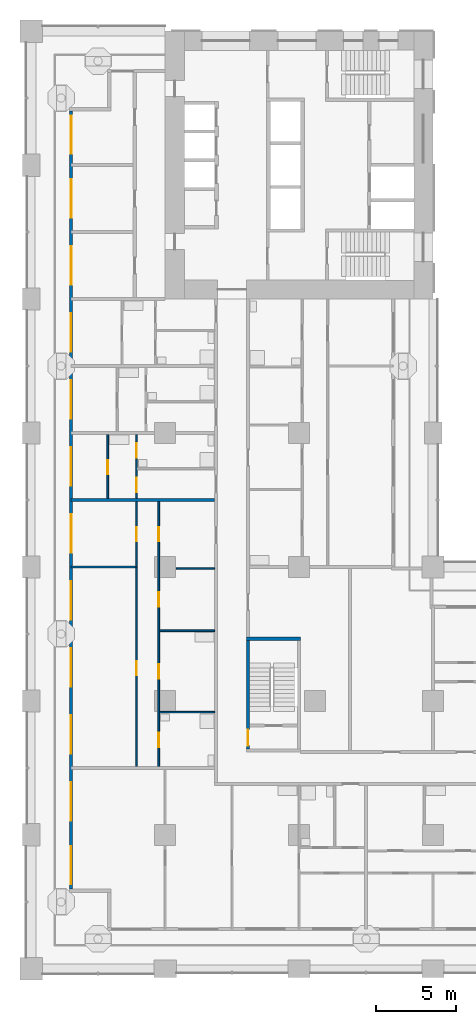
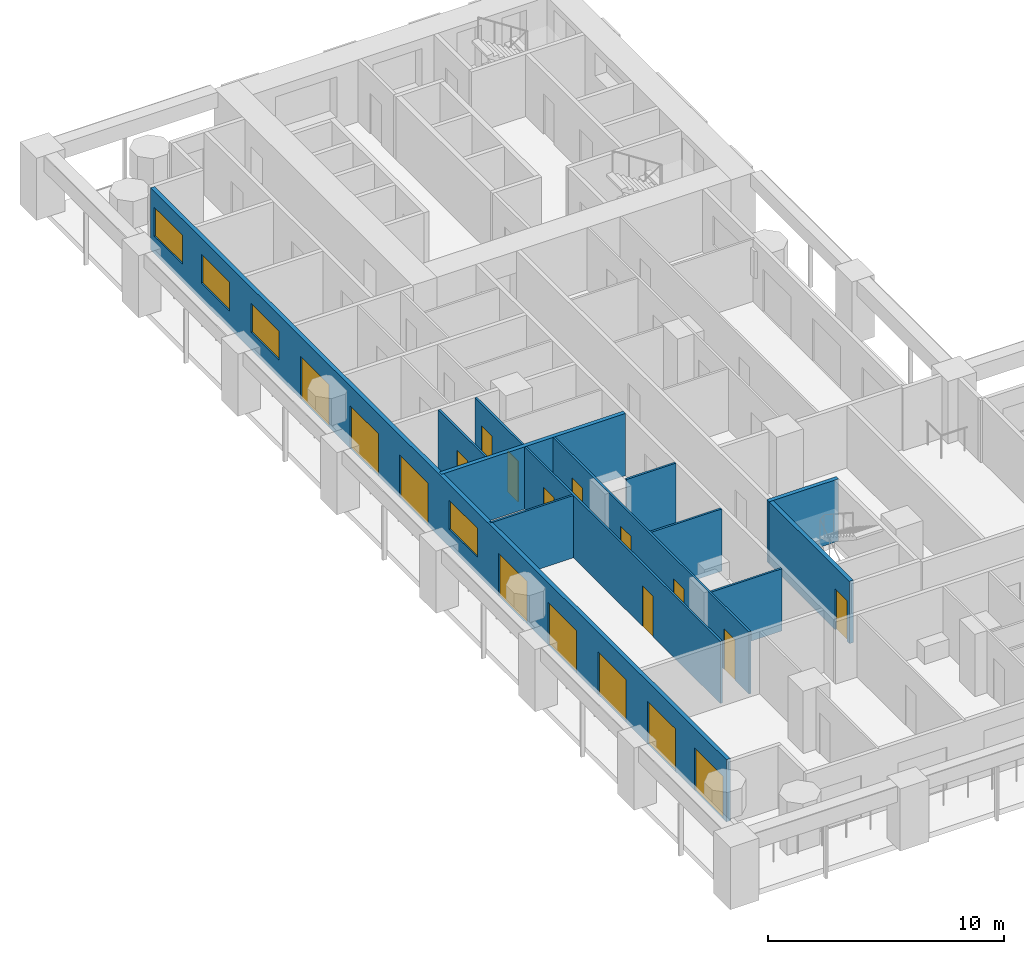
# One storey, part 3 of 19: 18 doors, 11 walls, 4 windows, 22 openings.
"""IFC4 building model written with IfcOpenShell, lengths in metres."""

from ifc_helpers import new_model, si_unit, direction, frame, frame_2d, origin, place, context, subcontext, project, spatial, rectangle, extrude, material, layer, layer_set, type_object, element, fill, save


model = new_model("IFC4")

# Units and contexts
model_context = context("Model", 3, precision=1e-05, world=origin(), true_north=direction((0.0, 1.0)))
body_context = subcontext(model_context, "Body", "Model", "MODEL_VIEW")
ifc_project = project(units=[si_unit("LENGTHUNIT", "METRE"), si_unit("AREAUNIT", "SQUARE_METRE"), si_unit("VOLUMEUNIT", "CUBIC_METRE"), si_unit("PLANEANGLEUNIT", "RADIAN"), si_unit("MASSUNIT", "GRAM", prefix="KILO")], contexts=[model_context])

# Site, building, storey
site_placement = place(None, origin())
site = spatial("IfcSite", under=ifc_project, at=site_placement, CompositionType="ELEMENT")
building_placement = place(site_placement, origin())
building = spatial("IfcBuilding", under=site, at=building_placement, Name="Vermilion Gate Residences", CompositionType="ELEMENT")
storey_placement = place(building_placement, frame((0.0, 0.0, 28.699951171875)))
storey = spatial("IfcBuildingStorey", under=building, at=storey_placement, Name="L05", CompositionType="ELEMENT", Elevation=28.699951171875)

# Wall, openings, doors, windows
ifc_material_1 = material(Name="Insulated steel stud wall with terracotta rainscreen", Category="masonry")
ifc_layer_1 = layer(ifc_material_1, 0.199951171875)
ifc_layer_set_1 = layer_set([ifc_layer_1], Name="EXTERNAL WALL 200 TERRACOTTA RAINSCREEN")
wall_type_1 = type_object("IfcWallType", Name="EXTERNAL WALL 200 TERRACOTTA RAINSCREEN", PredefinedType="SOLIDWALL", material=ifc_layer_set_1)
wall_1_placement = place(storey_placement, frame((2.5, 53.800048828125, 0.0), z_axis=(0.0, 0.0, 1.0), x_axis=(0.0, -1.0, 0.0)))
wall_1 = element("IfcWall", 1, at=wall_1_placement, inside=storey, type_object=wall_type_1, Name="External wall", PredefinedType="SOLIDWALL", context=body_context, shape_type="SweptSolid", body=[
    extrude(rectangle(XDim=48.800048828125, YDim=0.199951171875, at=frame_2d((24.39990234375, 0.0))), origin(), (0.0, 0.0, 1.0), 3.219970703125),
])
opening_1_placement = place(wall_1_placement, frame((46.10009765625, 0.0, 0.0)))
opening_1 = element("IfcOpeningElement", 2, at=opening_1_placement, cuts=wall_1, Name="Opening DE05002", PredefinedType="OPENING", context=body_context, shape_type="SweptSolid", body=[
    extrude(rectangle(XDim=2.39990234375, YDim=2.199951171875, at=frame_2d((1.199951171875, 1.10009765625))), frame((0.0, 0.10986328125, 0.0), z_axis=(0.0, -1.0, 0.0), x_axis=(1.0, 0.0, 0.0)), (0.0, 0.0, 1.0), 0.219970703125),
])
opening_2_placement = place(wall_1_placement, frame((42.10009765625, 0.0, 0.0)))
opening_2 = element("IfcOpeningElement", 3, at=opening_2_placement, cuts=wall_1, Name="Opening DE05003", PredefinedType="OPENING", context=body_context, shape_type="SweptSolid", body=[
    extrude(rectangle(XDim=2.39990234375, YDim=2.199951171875, at=frame_2d((1.199951171875, 1.10009765625))), frame((0.0, 0.10986328125, 0.0), z_axis=(0.0, -1.0, 0.0), x_axis=(1.0, 0.0, 0.0)), (0.0, 0.0, 1.0), 0.219970703125),
])
opening_3_placement = place(wall_1_placement, frame((37.89990234375, 0.0, 0.0)))
opening_3 = element("IfcOpeningElement", 4, at=opening_3_placement, cuts=wall_1, Name="Opening DE05004", PredefinedType="OPENING", context=body_context, shape_type="SweptSolid", body=[
    extrude(rectangle(XDim=2.39990234375, YDim=2.199951171875, at=frame_2d((1.199951171875, 1.10009765625))), frame((0.0, 0.10986328125, 0.0), z_axis=(0.0, -1.0, 0.0), x_axis=(1.0, 0.0, 0.0)), (0.0, 0.0, 1.0), 0.219970703125),
])
opening_4_placement = place(wall_1_placement, frame((33.699951171875, 0.0, 0.0)))
opening_4 = element("IfcOpeningElement", 5, at=opening_4_placement, cuts=wall_1, Name="Opening DE05005", PredefinedType="OPENING", context=body_context, shape_type="SweptSolid", body=[
    extrude(rectangle(XDim=2.39990234375, YDim=2.199951171875, at=frame_2d((1.199951171875, 1.10009765625))), frame((0.0, 0.10986328125, 0.0), z_axis=(0.0, -1.0, 0.0), x_axis=(1.0, 0.0, 0.0)), (0.0, 0.0, 1.0), 0.219970703125),
])
opening_5_placement = place(wall_1_placement, frame((29.5, 0.0, 0.0)))
opening_5 = element("IfcOpeningElement", 6, at=opening_5_placement, cuts=wall_1, Name="Opening DE05006", PredefinedType="OPENING", context=body_context, shape_type="SweptSolid", body=[
    extrude(rectangle(XDim=2.39990234375, YDim=2.199951171875, at=frame_2d((1.199951171875, 1.10009765625))), frame((0.0, 0.10986328125, 0.0), z_axis=(0.0, -1.0, 0.0), x_axis=(1.0, 0.0, 0.0)), (0.0, 0.0, 1.0), 0.219970703125),
])
opening_6_placement = place(wall_1_placement, frame((25.300048828125, 0.0, 0.89990234375)))
opening_6 = element("IfcOpeningElement", 7, at=opening_6_placement, cuts=wall_1, Name="Opening WE05007", PredefinedType="OPENING", context=body_context, shape_type="SweptSolid", body=[
    extrude(rectangle(XDim=2.39990234375, YDim=1.5, at=frame_2d((1.199951171875, 0.75))), frame((0.0, 0.10986328125, 0.0), z_axis=(0.0, -1.0, 0.0), x_axis=(1.0, 0.0, 0.0)), (0.0, 0.0, 1.0), 0.219970703125),
])
opening_7_placement = place(wall_1_placement, frame((21.10009765625, 0.0, 0.0)))
opening_7 = element("IfcOpeningElement", 8, at=opening_7_placement, cuts=wall_1, Name="Opening DE05008", PredefinedType="OPENING", context=body_context, shape_type="SweptSolid", body=[
    extrude(rectangle(XDim=2.39990234375, YDim=2.199951171875, at=frame_2d((1.199951171875, 1.10009765625))), frame((0.0, 0.10986328125, 0.0), z_axis=(0.0, -1.0, 0.0), x_axis=(1.0, 0.0, 0.0)), (0.0, 0.0, 1.0), 0.219970703125),
])
opening_8_placement = place(wall_1_placement, frame((16.89990234375, 0.0, 0.0)))
opening_8 = element("IfcOpeningElement", 9, at=opening_8_placement, cuts=wall_1, Name="Opening DE05009", PredefinedType="OPENING", context=body_context, shape_type="SweptSolid", body=[
    extrude(rectangle(XDim=2.39990234375, YDim=2.199951171875, at=frame_2d((1.199951171875, 1.10009765625))), frame((0.0, 0.10986328125, 0.0), z_axis=(0.0, -1.0, 0.0), x_axis=(1.0, 0.0, 0.0)), (0.0, 0.0, 1.0), 0.219970703125),
])
opening_9_placement = place(wall_1_placement, frame((12.699951171875, 0.0, 0.0)))
opening_9 = element("IfcOpeningElement", 10, at=opening_9_placement, cuts=wall_1, Name="Opening DE05010", PredefinedType="OPENING", context=body_context, shape_type="SweptSolid", body=[
    extrude(rectangle(XDim=2.39990234375, YDim=2.199951171875, at=frame_2d((1.199951171875, 1.10009765625))), frame((0.0, 0.10986328125, 0.0), z_axis=(0.0, -1.0, 0.0), x_axis=(1.0, 0.0, 0.0)), (0.0, 0.0, 1.0), 0.219970703125),
])
opening_10_placement = place(wall_1_placement, frame((8.5, 0.0, 0.89990234375)))
opening_10 = element("IfcOpeningElement", 11, at=opening_10_placement, cuts=wall_1, Name="Opening WE05011", PredefinedType="OPENING", context=body_context, shape_type="SweptSolid", body=[
    extrude(rectangle(XDim=2.39990234375, YDim=1.5, at=frame_2d((1.199951171875, 0.75))), frame((0.0, 0.10986328125, 0.0), z_axis=(0.0, -1.0, 0.0), x_axis=(1.0, 0.0, 0.0)), (0.0, 0.0, 1.0), 0.219970703125),
])
opening_11_placement = place(wall_1_placement, frame((4.300048828125, 0.0, 0.89990234375)))
opening_11 = element("IfcOpeningElement", 12, at=opening_11_placement, cuts=wall_1, Name="Opening WE05012", PredefinedType="OPENING", context=body_context, shape_type="SweptSolid", body=[
    extrude(rectangle(XDim=2.39990234375, YDim=1.5, at=frame_2d((1.199951171875, 0.75))), frame((0.0, 0.10986328125, 0.0), z_axis=(0.0, -1.0, 0.0), x_axis=(1.0, 0.0, 0.0)), (0.0, 0.0, 1.0), 0.219970703125),
])
opening_12_placement = place(wall_1_placement, frame((0.300048828125, 0.0, 0.89990234375)))
opening_12 = element("IfcOpeningElement", 13, at=opening_12_placement, cuts=wall_1, Name="Opening WE05013", PredefinedType="OPENING", context=body_context, shape_type="SweptSolid", body=[
    extrude(rectangle(XDim=2.39990234375, YDim=1.5, at=frame_2d((1.199951171875, 0.75))), frame((0.0, 0.10986328125, 0.0), z_axis=(0.0, -1.0, 0.0), x_axis=(1.0, 0.0, 0.0)), (0.0, 0.0, 1.0), 0.219970703125),
])
ifc_material_2 = material(Name="Aluminium and clear glass", Category="aluminium")
door_type_1 = type_object("IfcDoorType", Name="SLIDING GLAZED DOOR 2400 X 2200", OperationType="DOUBLE_DOOR_SLIDING", PredefinedType="DOOR", material=ifc_material_2)
door_1_placement = place(opening_1_placement, origin())
door_1 = element("IfcDoor", 14, at=door_1_placement, inside=storey, type_object=door_type_1, Name="Loggia sliding door", OperationType="DOUBLE_DOOR_SLIDING", OverallHeight=2.199951171875, OverallWidth=2.39990234375, PredefinedType="DOOR", context=body_context, shape_type="SweptSolid", body=[
    extrude(rectangle(XDim=2.39990234375, YDim=2.199951171875, at=frame_2d((1.199951171875, 1.10009765625))), frame((0.0, 0.02490234375, 0.0), z_axis=(0.0, -1.0, 0.0), x_axis=(1.0, 0.0, 0.0)), (0.0, 0.0, 1.0), 0.050048828125),
])
fill(opening_1, door_1)
door_2_placement = place(opening_2_placement, origin())
door_2 = element("IfcDoor", 15, at=door_2_placement, inside=storey, type_object=door_type_1, Name="Loggia sliding door", OperationType="DOUBLE_DOOR_SLIDING", OverallHeight=2.199951171875, OverallWidth=2.39990234375, PredefinedType="DOOR", context=body_context, shape_type="SweptSolid", body=[
    extrude(rectangle(XDim=2.39990234375, YDim=2.199951171875, at=frame_2d((1.199951171875, 1.10009765625))), frame((0.0, 0.02490234375, 0.0), z_axis=(0.0, -1.0, 0.0), x_axis=(1.0, 0.0, 0.0)), (0.0, 0.0, 1.0), 0.050048828125),
])
fill(opening_2, door_2)
door_3_placement = place(opening_3_placement, origin())
door_3 = element("IfcDoor", 16, at=door_3_placement, inside=storey, type_object=door_type_1, Name="Loggia sliding door", OperationType="DOUBLE_DOOR_SLIDING", OverallHeight=2.199951171875, OverallWidth=2.39990234375, PredefinedType="DOOR", context=body_context, shape_type="SweptSolid", body=[
    extrude(rectangle(XDim=2.39990234375, YDim=2.199951171875, at=frame_2d((1.199951171875, 1.10009765625))), frame((0.0, 0.02490234375, 0.0), z_axis=(0.0, -1.0, 0.0), x_axis=(1.0, 0.0, 0.0)), (0.0, 0.0, 1.0), 0.050048828125),
])
fill(opening_3, door_3)
door_4_placement = place(opening_4_placement, origin())
door_4 = element("IfcDoor", 17, at=door_4_placement, inside=storey, type_object=door_type_1, Name="Loggia sliding door", OperationType="DOUBLE_DOOR_SLIDING", OverallHeight=2.199951171875, OverallWidth=2.39990234375, PredefinedType="DOOR", context=body_context, shape_type="SweptSolid", body=[
    extrude(rectangle(XDim=2.39990234375, YDim=2.199951171875, at=frame_2d((1.199951171875, 1.10009765625))), frame((0.0, 0.02490234375, 0.0), z_axis=(0.0, -1.0, 0.0), x_axis=(1.0, 0.0, 0.0)), (0.0, 0.0, 1.0), 0.050048828125),
])
fill(opening_4, door_4)
door_5_placement = place(opening_5_placement, origin())
door_5 = element("IfcDoor", 18, at=door_5_placement, inside=storey, type_object=door_type_1, Name="Loggia sliding door", OperationType="DOUBLE_DOOR_SLIDING", OverallHeight=2.199951171875, OverallWidth=2.39990234375, PredefinedType="DOOR", context=body_context, shape_type="SweptSolid", body=[
    extrude(rectangle(XDim=2.39990234375, YDim=2.199951171875, at=frame_2d((1.199951171875, 1.10009765625))), frame((0.0, 0.02490234375, 0.0), z_axis=(0.0, -1.0, 0.0), x_axis=(1.0, 0.0, 0.0)), (0.0, 0.0, 1.0), 0.050048828125),
])
fill(opening_5, door_5)
door_6_placement = place(opening_7_placement, origin())
door_6 = element("IfcDoor", 19, at=door_6_placement, inside=storey, type_object=door_type_1, Name="Loggia sliding door", OperationType="DOUBLE_DOOR_SLIDING", OverallHeight=2.199951171875, OverallWidth=2.39990234375, PredefinedType="DOOR", context=body_context, shape_type="SweptSolid", body=[
    extrude(rectangle(XDim=2.39990234375, YDim=2.199951171875, at=frame_2d((1.199951171875, 1.10009765625))), frame((0.0, 0.02490234375, 0.0), z_axis=(0.0, -1.0, 0.0), x_axis=(1.0, 0.0, 0.0)), (0.0, 0.0, 1.0), 0.050048828125),
])
fill(opening_7, door_6)
door_7_placement = place(opening_8_placement, origin())
door_7 = element("IfcDoor", 20, at=door_7_placement, inside=storey, type_object=door_type_1, Name="Loggia sliding door", OperationType="DOUBLE_DOOR_SLIDING", OverallHeight=2.199951171875, OverallWidth=2.39990234375, PredefinedType="DOOR", context=body_context, shape_type="SweptSolid", body=[
    extrude(rectangle(XDim=2.39990234375, YDim=2.199951171875, at=frame_2d((1.199951171875, 1.10009765625))), frame((0.0, 0.02490234375, 0.0), z_axis=(0.0, -1.0, 0.0), x_axis=(1.0, 0.0, 0.0)), (0.0, 0.0, 1.0), 0.050048828125),
])
fill(opening_8, door_7)
door_8_placement = place(opening_9_placement, origin())
door_8 = element("IfcDoor", 21, at=door_8_placement, inside=storey, type_object=door_type_1, Name="Loggia sliding door", OperationType="DOUBLE_DOOR_SLIDING", OverallHeight=2.199951171875, OverallWidth=2.39990234375, PredefinedType="DOOR", context=body_context, shape_type="SweptSolid", body=[
    extrude(rectangle(XDim=2.39990234375, YDim=2.199951171875, at=frame_2d((1.199951171875, 1.10009765625))), frame((0.0, 0.02490234375, 0.0), z_axis=(0.0, -1.0, 0.0), x_axis=(1.0, 0.0, 0.0)), (0.0, 0.0, 1.0), 0.050048828125),
])
fill(opening_9, door_8)
ifc_material_3 = material(Name="Aluminium and clear glass", Category="aluminium")
window_type = type_object("IfcWindowType", Name="WINDOW 2400 X 1500", PartitioningType="SINGLE_PANEL", PredefinedType="WINDOW", material=ifc_material_3)
window_1_placement = place(opening_6_placement, origin())
window_1 = element("IfcWindow", 22, at=window_1_placement, inside=storey, type_object=window_type, Name="Window", OverallHeight=1.5, OverallWidth=2.39990234375, PartitioningType="SINGLE_PANEL", PredefinedType="WINDOW", context=body_context, shape_type="SweptSolid", body=[
    extrude(rectangle(XDim=2.39990234375, YDim=1.5, at=frame_2d((1.199951171875, 0.75))), frame((0.0, 0.030029296875, 0.0), z_axis=(0.0, -1.0, 0.0), x_axis=(1.0, 0.0, 0.0)), (0.0, 0.0, 1.0), 0.06005859375),
])
fill(opening_6, window_1)
window_2_placement = place(opening_10_placement, origin())
window_2 = element("IfcWindow", 23, at=window_2_placement, inside=storey, type_object=window_type, Name="Window", OverallHeight=1.5, OverallWidth=2.39990234375, PartitioningType="SINGLE_PANEL", PredefinedType="WINDOW", context=body_context, shape_type="SweptSolid", body=[
    extrude(rectangle(XDim=2.39990234375, YDim=1.5, at=frame_2d((1.199951171875, 0.75))), frame((0.0, 0.030029296875, 0.0), z_axis=(0.0, -1.0, 0.0), x_axis=(1.0, 0.0, 0.0)), (0.0, 0.0, 1.0), 0.06005859375),
])
fill(opening_10, window_2)
window_3_placement = place(opening_11_placement, origin())
window_3 = element("IfcWindow", 24, at=window_3_placement, inside=storey, type_object=window_type, Name="Window", OverallHeight=1.5, OverallWidth=2.39990234375, PartitioningType="SINGLE_PANEL", PredefinedType="WINDOW", context=body_context, shape_type="SweptSolid", body=[
    extrude(rectangle(XDim=2.39990234375, YDim=1.5, at=frame_2d((1.199951171875, 0.75))), frame((0.0, 0.030029296875, 0.0), z_axis=(0.0, -1.0, 0.0), x_axis=(1.0, 0.0, 0.0)), (0.0, 0.0, 1.0), 0.06005859375),
])
fill(opening_11, window_3)
window_4_placement = place(opening_12_placement, origin())
window_4 = element("IfcWindow", 25, at=window_4_placement, inside=storey, type_object=window_type, Name="Window", OverallHeight=1.5, OverallWidth=2.39990234375, PartitioningType="SINGLE_PANEL", PredefinedType="WINDOW", context=body_context, shape_type="SweptSolid", body=[
    extrude(rectangle(XDim=2.39990234375, YDim=1.5, at=frame_2d((1.199951171875, 0.75))), frame((0.0, 0.030029296875, 0.0), z_axis=(0.0, -1.0, 0.0), x_axis=(1.0, 0.0, 0.0)), (0.0, 0.0, 1.0), 0.06005859375),
])
fill(opening_12, window_4)

# Walls
ifc_material_4 = material(Name="Plasterboard on steel studs", Category="steel")
ifc_layer_2 = layer(ifc_material_4, 0.10009765625)
ifc_layer_set_2 = layer_set([ifc_layer_2], Name="PARTITION 100")
wall_type_2 = type_object("IfcWallType", Name="PARTITION 100", PredefinedType="PARTITIONING", material=ifc_layer_set_2)
for number, where, z_axis, x_axis, name in (
    (26, (8.050048828125, 16.10009765625, 0.0), (0.0, 0.0, 1.0), (1.0, 0.0, 0.0), "Partition"),
    (27, (8.050048828125, 21.199951171875, 0.0), (0.0, 0.0, 1.0), (1.0, 0.0, 0.0), "Partition"),
):
    element("IfcWall", number, at=place(storey_placement, frame(where, z_axis=z_axis, x_axis=x_axis)), inside=storey, type_object=wall_type_2, Name=name, PredefinedType="PARTITIONING", context=body_context, shape_type="SweptSolid", body=[
        extrude(rectangle(XDim=3.449951171875, YDim=0.10009765625, at=frame_2d((1.72509765625, 0.0))), origin(), (0.0, 0.0, 1.0), 3.219970703125),
    ])
wall_2_placement = place(storey_placement, frame((9.10009765625, 25.10009765625, 0.0), z_axis=(0.0, 0.0, 1.0), x_axis=(1.0, 0.0, 0.0)))
element("IfcWall", 28, at=wall_2_placement, inside=storey, type_object=wall_type_2, Name="Partition", PredefinedType="PARTITIONING", context=body_context, shape_type="SweptSolid", body=[
    extrude(rectangle(XDim=2.39990234375, YDim=0.10009765625, at=frame_2d((1.199951171875, 0.0))), origin(), (0.0, 0.0, 1.0), 3.219970703125),
])
wall_3_placement = place(storey_placement, frame((2.5, 25.199951171875, 0.0), z_axis=(0.0, 0.0, 1.0), x_axis=(1.0, 0.0, 0.0)))
element("IfcWall", 29, at=wall_3_placement, inside=storey, type_object=wall_type_2, Name="Partition", PredefinedType="PARTITIONING", context=body_context, shape_type="SweptSolid", body=[
    extrude(rectangle(XDim=4.050048828125, YDim=0.10009765625, at=frame_2d((2.02490234375, 0.0))), origin(), (0.0, 0.0, 1.0), 3.219970703125),
])

# Wall, opening, door
wall_4_placement = place(storey_placement, frame((4.800048828125, 29.5, 0.0), z_axis=(0.0, 0.0, 1.0), x_axis=(0.0, 1.0, 0.0)))
wall_4 = element("IfcWall", 30, at=wall_4_placement, inside=storey, type_object=wall_type_2, Name="Partition", PredefinedType="PARTITIONING", context=body_context, shape_type="SweptSolid", body=[
    extrude(rectangle(XDim=4.0, YDim=0.10009765625, at=frame_2d((2.0, 0.0))), origin(), (0.0, 0.0, 1.0), 3.219970703125),
])
opening_13_placement = place(wall_4_placement, frame((1.5, 0.0, 0.0)))
opening_13 = element("IfcOpeningElement", 31, at=opening_13_placement, cuts=wall_4, Name="Opening DA04032", PredefinedType="OPENING", context=body_context, shape_type="SweptSolid", body=[
    extrude(rectangle(XDim=0.89990234375, YDim=2.10009765625, at=frame_2d((0.449951171875, 1.050048828125))), frame((0.0, 0.06005859375, 0.0), z_axis=(0.0, -1.0, 0.0), x_axis=(1.0, 0.0, 0.0)), (0.0, 0.0, 1.0), 0.1201171875),
])
ifc_material_5 = material(Name="Timber", Category="wood")
door_type_2 = type_object("IfcDoorType", Name="INTERIOR DOOR 900 X 2100", OperationType="SINGLE_SWING_LEFT", PredefinedType="DOOR", material=ifc_material_5)
door_9_placement = place(opening_13_placement, frame((0.89990234375, 0.0, 0.0), z_axis=(0.0, 0.0, 1.0), x_axis=(-1.0, 0.0, 0.0)))
door_9 = element("IfcDoor", 32, at=door_9_placement, inside=storey, type_object=door_type_2, Name="Interior door", OperationType="SINGLE_SWING_LEFT", OverallHeight=2.10009765625, OverallWidth=0.89990234375, PredefinedType="DOOR", context=body_context, shape_type="SweptSolid", body=[
    extrude(rectangle(XDim=0.89990234375, YDim=2.10009765625, at=frame_2d((0.449951171875, 1.050048828125))), frame((0.0, 0.02490234375, 0.0), z_axis=(0.0, -1.0, 0.0), x_axis=(1.0, 0.0, 0.0)), (0.0, 0.0, 1.0), 0.050048828125),
])
fill(opening_13, door_9)

# Wall, openings, doors
wall_5_placement = place(storey_placement, frame((6.60009765625, 12.699951171875, 0.0), z_axis=(0.0, 0.0, 1.0), x_axis=(0.0, 1.0, 0.0)))
wall_5 = element("IfcWall", 33, at=wall_5_placement, inside=storey, type_object=wall_type_2, Name="Partition", PredefinedType="PARTITIONING", context=body_context, shape_type="SweptSolid", body=[
    extrude(rectangle(XDim=20.800048828125, YDim=0.10009765625, at=frame_2d((10.39990234375, 0.0))), origin(), (0.0, 0.0, 1.0), 3.219970703125),
])
opening_14_placement = place(wall_5_placement, frame((5.699951171875, 0.0, 0.0)))
opening_14 = element("IfcOpeningElement", 34, at=opening_14_placement, cuts=wall_5, Name="Opening DA04038", PredefinedType="OPENING", context=body_context, shape_type="SweptSolid", body=[
    extrude(rectangle(XDim=0.89990234375, YDim=2.10009765625, at=frame_2d((0.449951171875, 1.050048828125))), frame((0.0, 0.06005859375, 0.0), z_axis=(0.0, -1.0, 0.0), x_axis=(1.0, 0.0, 0.0)), (0.0, 0.0, 1.0), 0.1201171875),
])
opening_15_placement = place(wall_5_placement, frame((14.10009765625, 0.0, 0.0)))
opening_15 = element("IfcOpeningElement", 35, at=opening_15_placement, cuts=wall_5, Name="Opening DA04039", PredefinedType="OPENING", context=body_context, shape_type="SweptSolid", body=[
    extrude(rectangle(XDim=0.89990234375, YDim=2.10009765625, at=frame_2d((0.449951171875, 1.050048828125))), frame((0.0, 0.06005859375, 0.0), z_axis=(0.0, -1.0, 0.0), x_axis=(1.0, 0.0, 0.0)), (0.0, 0.0, 1.0), 0.1201171875),
])
opening_16_placement = place(wall_5_placement, frame((17.199951171875, 0.0, 0.0)))
opening_16 = element("IfcOpeningElement", 36, at=opening_16_placement, cuts=wall_5, Name="Opening DA04040", PredefinedType="OPENING", context=body_context, shape_type="SweptSolid", body=[
    extrude(rectangle(XDim=0.89990234375, YDim=2.10009765625, at=frame_2d((0.449951171875, 1.050048828125))), frame((0.0, 0.06005859375, 0.0), z_axis=(0.0, -1.0, 0.0), x_axis=(1.0, 0.0, 0.0)), (0.0, 0.0, 1.0), 0.1201171875),
])
opening_17_placement = place(wall_5_placement, frame((19.360107421875, 0.0, 0.0)))
opening_17 = element("IfcOpeningElement", 37, at=opening_17_placement, cuts=wall_5, Name="Opening DA04041", PredefinedType="OPENING", context=body_context, shape_type="SweptSolid", body=[
    extrude(rectangle(XDim=0.89990234375, YDim=2.10009765625, at=frame_2d((0.449951171875, 1.050048828125))), frame((0.0, 0.06005859375, 0.0), z_axis=(0.0, -1.0, 0.0), x_axis=(1.0, 0.0, 0.0)), (0.0, 0.0, 1.0), 0.1201171875),
])
door_10_placement = place(opening_14_placement, origin())
door_10 = element("IfcDoor", 38, at=door_10_placement, inside=storey, type_object=door_type_2, Name="Interior door", OperationType="SINGLE_SWING_LEFT", OverallHeight=2.10009765625, OverallWidth=0.89990234375, PredefinedType="DOOR", context=body_context, shape_type="SweptSolid", body=[
    extrude(rectangle(XDim=0.89990234375, YDim=2.10009765625, at=frame_2d((0.449951171875, 1.050048828125))), frame((0.0, 0.02490234375, 0.0), z_axis=(0.0, -1.0, 0.0), x_axis=(1.0, 0.0, 0.0)), (0.0, 0.0, 1.0), 0.050048828125),
])
fill(opening_14, door_10)
door_11_placement = place(opening_15_placement, origin())
door_11 = element("IfcDoor", 39, at=door_11_placement, inside=storey, type_object=door_type_2, Name="Interior door", OperationType="SINGLE_SWING_LEFT", OverallHeight=2.10009765625, OverallWidth=0.89990234375, PredefinedType="DOOR", context=body_context, shape_type="SweptSolid", body=[
    extrude(rectangle(XDim=0.89990234375, YDim=2.10009765625, at=frame_2d((0.449951171875, 1.050048828125))), frame((0.0, 0.02490234375, 0.0), z_axis=(0.0, -1.0, 0.0), x_axis=(1.0, 0.0, 0.0)), (0.0, 0.0, 1.0), 0.050048828125),
])
fill(opening_15, door_11)
door_12_placement = place(opening_16_placement, origin())
door_12 = element("IfcDoor", 40, at=door_12_placement, inside=storey, type_object=door_type_2, Name="Interior door", OperationType="SINGLE_SWING_LEFT", OverallHeight=2.10009765625, OverallWidth=0.89990234375, PredefinedType="DOOR", context=body_context, shape_type="SweptSolid", body=[
    extrude(rectangle(XDim=0.89990234375, YDim=2.10009765625, at=frame_2d((0.449951171875, 1.050048828125))), frame((0.0, 0.02490234375, 0.0), z_axis=(0.0, -1.0, 0.0), x_axis=(1.0, 0.0, 0.0)), (0.0, 0.0, 1.0), 0.050048828125),
])
fill(opening_16, door_12)
door_13_placement = place(opening_17_placement, origin())
door_13 = element("IfcDoor", 41, at=door_13_placement, inside=storey, type_object=door_type_2, Name="Interior door", OperationType="SINGLE_SWING_LEFT", OverallHeight=2.10009765625, OverallWidth=0.89990234375, PredefinedType="DOOR", context=body_context, shape_type="SweptSolid", body=[
    extrude(rectangle(XDim=0.89990234375, YDim=2.10009765625, at=frame_2d((0.449951171875, 1.050048828125))), frame((0.0, 0.02490234375, 0.0), z_axis=(0.0, -1.0, 0.0), x_axis=(1.0, 0.0, 0.0)), (0.0, 0.0, 1.0), 0.050048828125),
])
fill(opening_17, door_13)

wall_6_placement = place(storey_placement, frame((8.0, 12.699951171875, 0.0), z_axis=(0.0, 0.0, 1.0), x_axis=(0.0, 1.0, 0.0)))
wall_6 = element("IfcWall", 42, at=wall_6_placement, inside=storey, type_object=wall_type_2, Name="Partition", PredefinedType="PARTITIONING", context=body_context, shape_type="SweptSolid", body=[
    extrude(rectangle(XDim=16.60009765625, YDim=0.10009765625, at=frame_2d((8.300048828125, 0.0))), origin(), (0.0, 0.0, 1.0), 3.219970703125),
])
opening_18_placement = place(wall_6_placement, frame((14.10009765625, 0.0, 0.0)))
opening_18 = element("IfcOpeningElement", 43, at=opening_18_placement, cuts=wall_6, Name="Opening DA04046", PredefinedType="OPENING", context=body_context, shape_type="SweptSolid", body=[
    extrude(rectangle(XDim=0.89990234375, YDim=2.10009765625, at=frame_2d((0.449951171875, 1.050048828125))), frame((0.0, 0.06005859375, 0.0), z_axis=(0.0, -1.0, 0.0), x_axis=(1.0, 0.0, 0.0)), (0.0, 0.0, 1.0), 0.1201171875),
])
opening_19_placement = place(wall_6_placement, frame((1.199951171875, 0.0, 0.0)))
opening_19 = element("IfcOpeningElement", 44, at=opening_19_placement, cuts=wall_6, Name="Opening DA04047", PredefinedType="OPENING", context=body_context, shape_type="SweptSolid", body=[
    extrude(rectangle(XDim=0.89990234375, YDim=2.10009765625, at=frame_2d((0.449951171875, 1.050048828125))), frame((0.0, 0.06005859375, 0.0), z_axis=(0.0, -1.0, 0.0), x_axis=(1.0, 0.0, 0.0)), (0.0, 0.0, 1.0), 0.1201171875),
])
opening_20_placement = place(wall_6_placement, frame((5.5, 0.0, 0.0)))
opening_20 = element("IfcOpeningElement", 45, at=opening_20_placement, cuts=wall_6, Name="Opening DA04048", PredefinedType="OPENING", context=body_context, shape_type="SweptSolid", body=[
    extrude(rectangle(XDim=0.89990234375, YDim=2.10009765625, at=frame_2d((0.449951171875, 1.050048828125))), frame((0.0, 0.06005859375, 0.0), z_axis=(0.0, -1.0, 0.0), x_axis=(1.0, 0.0, 0.0)), (0.0, 0.0, 1.0), 0.1201171875),
])
opening_21_placement = place(wall_6_placement, frame((10.0, 0.0, 0.0)))
opening_21 = element("IfcOpeningElement", 46, at=opening_21_placement, cuts=wall_6, Name="Opening DA04049", PredefinedType="OPENING", context=body_context, shape_type="SweptSolid", body=[
    extrude(rectangle(XDim=0.89990234375, YDim=2.10009765625, at=frame_2d((0.449951171875, 1.050048828125))), frame((0.0, 0.06005859375, 0.0), z_axis=(0.0, -1.0, 0.0), x_axis=(1.0, 0.0, 0.0)), (0.0, 0.0, 1.0), 0.1201171875),
])
door_14_placement = place(opening_18_placement, frame((0.89990234375, 0.0, 0.0), z_axis=(0.0, 0.0, 1.0), x_axis=(-1.0, 0.0, 0.0)))
door_14 = element("IfcDoor", 47, at=door_14_placement, inside=storey, type_object=door_type_2, Name="Interior door", OperationType="SINGLE_SWING_RIGHT", OverallHeight=2.10009765625, OverallWidth=0.89990234375, PredefinedType="DOOR", context=body_context, shape_type="SweptSolid", body=[
    extrude(rectangle(XDim=0.89990234375, YDim=2.10009765625, at=frame_2d((0.449951171875, 1.050048828125))), frame((0.0, 0.02490234375, 0.0), z_axis=(0.0, -1.0, 0.0), x_axis=(1.0, 0.0, 0.0)), (0.0, 0.0, 1.0), 0.050048828125),
])
fill(opening_18, door_14)
door_15_placement = place(opening_19_placement, frame((0.89990234375, 0.0, 0.0), z_axis=(0.0, 0.0, 1.0), x_axis=(-1.0, 0.0, 0.0)))
door_15 = element("IfcDoor", 48, at=door_15_placement, inside=storey, type_object=door_type_2, Name="Interior door", OperationType="SINGLE_SWING_LEFT", OverallHeight=2.10009765625, OverallWidth=0.89990234375, PredefinedType="DOOR", context=body_context, shape_type="SweptSolid", body=[
    extrude(rectangle(XDim=0.89990234375, YDim=2.10009765625, at=frame_2d((0.449951171875, 1.050048828125))), frame((0.0, 0.02490234375, 0.0), z_axis=(0.0, -1.0, 0.0), x_axis=(1.0, 0.0, 0.0)), (0.0, 0.0, 1.0), 0.050048828125),
])
fill(opening_19, door_15)
door_16_placement = place(opening_20_placement, frame((0.89990234375, 0.0, 0.0), z_axis=(0.0, 0.0, 1.0), x_axis=(-1.0, 0.0, 0.0)))
door_16 = element("IfcDoor", 49, at=door_16_placement, inside=storey, type_object=door_type_2, Name="Interior door", OperationType="SINGLE_SWING_RIGHT", OverallHeight=2.10009765625, OverallWidth=0.89990234375, PredefinedType="DOOR", context=body_context, shape_type="SweptSolid", body=[
    extrude(rectangle(XDim=0.89990234375, YDim=2.10009765625, at=frame_2d((0.449951171875, 1.050048828125))), frame((0.0, 0.02490234375, 0.0), z_axis=(0.0, -1.0, 0.0), x_axis=(1.0, 0.0, 0.0)), (0.0, 0.0, 1.0), 0.050048828125),
])
fill(opening_20, door_16)
door_17_placement = place(opening_21_placement, frame((0.89990234375, 0.0, 0.0), z_axis=(0.0, 0.0, 1.0), x_axis=(-1.0, 0.0, 0.0)))
door_17 = element("IfcDoor", 50, at=door_17_placement, inside=storey, type_object=door_type_2, Name="Interior door", OperationType="SINGLE_SWING_LEFT", OverallHeight=2.10009765625, OverallWidth=0.89990234375, PredefinedType="DOOR", context=body_context, shape_type="SweptSolid", body=[
    extrude(rectangle(XDim=0.89990234375, YDim=2.10009765625, at=frame_2d((0.449951171875, 1.050048828125))), frame((0.0, 0.02490234375, 0.0), z_axis=(0.0, -1.0, 0.0), x_axis=(1.0, 0.0, 0.0)), (0.0, 0.0, 1.0), 0.050048828125),
])
fill(opening_21, door_17)

# Wall
ifc_material_6 = material(Name="Fire-rated plasterboard on steel studs", Category="steel")
ifc_layer_3 = layer(ifc_material_6, 0.199951171875)
ifc_layer_set_3 = layer_set([ifc_layer_3], Name="PARTY WALL 200 EI 120")
wall_type_3 = type_object("IfcWallType", Name="PARTY WALL 200 EI 120", PredefinedType="PARTITIONING", material=ifc_layer_set_3)
wall_7_placement = place(storey_placement, frame((2.5, 29.39990234375, 0.0), z_axis=(0.0, 0.0, 1.0), x_axis=(1.0, 0.0, 0.0)))
element("IfcWall", 51, at=wall_7_placement, inside=storey, type_object=wall_type_3, Name="Party and corridor wall", PredefinedType="PARTITIONING", context=body_context, shape_type="SweptSolid", body=[
    extrude(rectangle(XDim=9.0, YDim=0.199951171875, at=frame_2d((4.5, 0.0))), origin(), (0.0, 0.0, 1.0), 3.219970703125),
])

# Wall, opening, door
ifc_material_7 = material(Name="Concrete C60", Category="concrete")
ifc_layer_4 = layer(ifc_material_7, 0.199951171875)
ifc_layer_set_4 = layer_set([ifc_layer_4], Name="RC CORE INTERNAL WALL 200 C60")
wall_type_4 = type_object("IfcWallType", Name="RC CORE INTERNAL WALL 200 C60", PredefinedType="SHEAR", material=ifc_layer_set_4)
wall_8_placement = place(storey_placement, frame((13.60009765625, 13.800048828125, 0.0), z_axis=(0.0, 0.0, 1.0), x_axis=(0.0, 1.0, 0.0)))
wall_8 = element("IfcWall", 52, at=wall_8_placement, inside=storey, type_object=wall_type_4, Name="Core internal wall C05-W", PredefinedType="SHEAR", context=body_context, shape_type="SweptSolid", body=[
    extrude(rectangle(XDim=6.800048828125, YDim=0.199951171875, at=frame_2d((3.39990234375, 0.0))), origin(), (0.0, 0.0, 1.0), 3.219970703125),
])
opening_22_placement = place(wall_8_placement, frame((0.199951171875, 0.0, 0.0)))
opening_22 = element("IfcOpeningElement", 53, at=opening_22_placement, cuts=wall_8, Name="Opening DK05201", PredefinedType="OPENING", context=body_context, shape_type="SweptSolid", body=[
    extrude(rectangle(XDim=1.0, YDim=2.10009765625, at=frame_2d((0.5, 1.050048828125))), frame((0.0, 0.10986328125, 0.0), z_axis=(0.0, -1.0, 0.0), x_axis=(1.0, 0.0, 0.0)), (0.0, 0.0, 1.0), 0.219970703125),
])
ifc_material_8 = material(Name="Steel", Category="steel")
door_type_3 = type_object("IfcDoorType", Name="FIRE DOOR FD60 1000 X 2100", OperationType="SINGLE_SWING_LEFT", PredefinedType="DOOR", material=ifc_material_8)
door_18_placement = place(opening_22_placement, frame((1.0, 0.0, 0.0), z_axis=(0.0, 0.0, 1.0), x_axis=(-1.0, 0.0, 0.0)))
door_18 = element("IfcDoor", 54, at=door_18_placement, inside=storey, type_object=door_type_3, Name="Stair vestibule door C05", OperationType="SINGLE_SWING_LEFT", OverallHeight=2.10009765625, OverallWidth=1.0, PredefinedType="DOOR", context=body_context, shape_type="SweptSolid", body=[
    extrude(rectangle(XDim=1.0, YDim=2.10009765625, at=frame_2d((0.5, 1.050048828125))), frame((0.0, 0.02490234375, 0.0), z_axis=(0.0, -1.0, 0.0), x_axis=(1.0, 0.0, 0.0)), (0.0, 0.0, 1.0), 0.050048828125),
])
fill(opening_22, door_18)

# Wall
wall_9_placement = place(storey_placement, frame((13.5, 20.699951171875, 0.0), z_axis=(0.0, 0.0, 1.0), x_axis=(1.0, 0.0, 0.0)))
element("IfcWall", 55, at=wall_9_placement, inside=storey, type_object=wall_type_4, Name="Core internal wall C05-N", PredefinedType="SHEAR", context=body_context, shape_type="SweptSolid", body=[
    extrude(rectangle(XDim=3.39990234375, YDim=0.199951171875, at=frame_2d((1.699951171875, 0.0))), origin(), (0.0, 0.0, 1.0), 3.219970703125),
])

save(model, "model.ifc")
